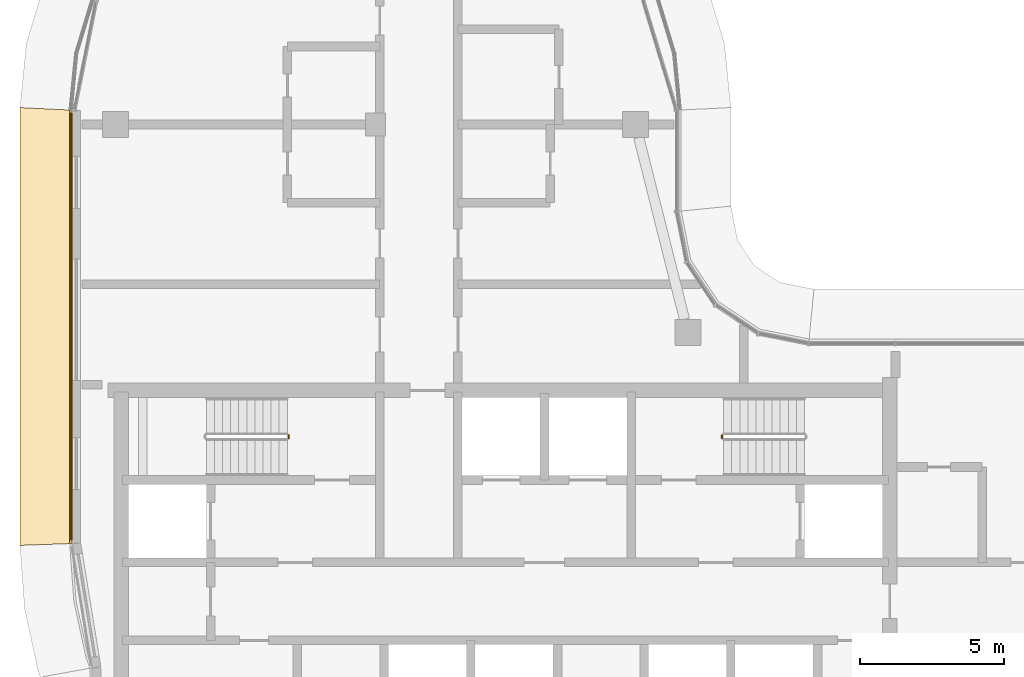
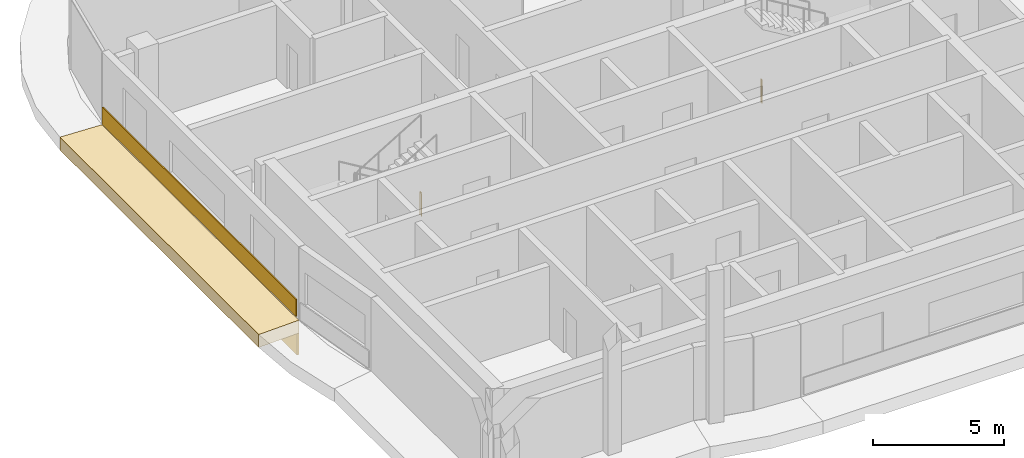
# One storey, part 17 of 21: 3 coverings, 2 railings.
"""IFC4 building model written with IfcOpenShell, lengths in metres."""

import ifcopenshell
import ifcopenshell.guid

model = None  # the IFC model being written
_history = None  # IfcOwnerHistory: only IFC2X3 demands one
_inside = {}  # id of a spatial element -> (the spatial element, [elements in it])
_under = {}  # id of a project, library or spatial element -> (it, [spatial elements below it])
_declared = {}  # id of a project -> (the project, [libraries it declares])
_typed = {}  # id of a type object -> (the type object, [elements of that type])
_made_of = {}  # id of a material, layer set ... -> (it, [elements and type objects made of it])


def new_model(schema):
    """Start an empty IFC model of exactly this schema.

    Asked for "IFC4X3", IfcOpenShell would pick the latest addendum, in which some entities
    have other attributes; the version numbers below select the first issue.
    IFC2X3 requires an IfcOwnerHistory on every rooted entity: one is made here for all.
    """
    global model, _history
    if schema == "IFC4X3":
        model = ifcopenshell.file(schema_version=(4, 3, 0, 0))
    else:
        model = ifcopenshell.file(schema=schema)
    _inside.clear()
    _under.clear()
    _declared.clear()
    _typed.clear()
    _made_of.clear()
    _history = None
    if model.schema == "IFC2X3":
        org = make("IfcOrganization", Name="unknown")
        user = make(
            "IfcPersonAndOrganization",
            ThePerson=make("IfcPerson", FamilyName="unknown"),
            TheOrganization=org,
        )
        app = make(
            "IfcApplication",
            ApplicationDeveloper=org,
            Version="unknown",
            ApplicationFullName="unknown",
            ApplicationIdentifier="unknown",
        )
        _history = make(
            "IfcOwnerHistory",
            OwningUser=user,
            OwningApplication=app,
            ChangeAction="ADDED",
            CreationDate=0,
        )
    return model


def make(cls, **values):
    """One entity of the class cls with the attributes given. An attribute that is None is left unset."""
    return model.create_entity(
        cls, **{name: value for name, value in values.items() if value is not None}
    )


def rooted(cls, **values):
    """An entity with a GlobalId (a new one), such as an element, a storey or a relation."""
    return make(cls, GlobalId=ifcopenshell.guid.new(), OwnerHistory=_history, **values)


def si_unit(unit_type, name, prefix=None):
    """IfcSIUnit, for example si_unit("LENGTHUNIT", "METRE", prefix="MILLI")."""
    return make("IfcSIUnit", UnitType=unit_type, Prefix=prefix, Name=name)


def assignment(units):
    """IfcUnitAssignment: the units of a project."""
    return None if units is None else make("IfcUnitAssignment", Units=units)


def point(xyz):
    """IfcCartesianPoint."""
    return None if xyz is None else make("IfcCartesianPoint", Coordinates=xyz)


def direction(xyz):
    """IfcDirection."""
    return None if xyz is None else make("IfcDirection", DirectionRatios=xyz)


def frame(location, z_axis=None, x_axis=None):
    """IfcAxis2Placement3D, a coordinate frame: its origin and axes. An axis left out is left unset."""
    return make(
        "IfcAxis2Placement3D",
        Location=point(location),
        Axis=direction(z_axis),
        RefDirection=direction(x_axis),
    )


def frame_2d(location, x_axis=None):
    """IfcAxis2Placement2D, a coordinate frame in the plane: its origin and x axis."""
    return make(
        "IfcAxis2Placement2D", Location=point(location), RefDirection=direction(x_axis)
    )


def origin():
    """The frame at (0, 0, 0) with its axes left unset."""
    return frame((0.0, 0.0, 0.0))


def origin_2d():
    """The frame at (0, 0) in the plane with its x axis left unset."""
    return frame_2d((0.0, 0.0))


def place(relative_to, where):
    """IfcLocalPlacement: puts the frame where relative to a parent placement (None: the world)."""
    return make(
        "IfcLocalPlacement", PlacementRelTo=relative_to, RelativePlacement=where
    )


def context(
    kind, dimensions, precision=None, world=None, true_north=None, identifier=None
):
    """IfcGeometricRepresentationContext, for example the 3D "Model" context."""
    return make(
        "IfcGeometricRepresentationContext",
        ContextIdentifier=identifier,
        ContextType=kind,
        CoordinateSpaceDimension=dimensions,
        Precision=precision,
        WorldCoordinateSystem=world,
        TrueNorth=true_north,
    )


def subcontext(parent, identifier, kind, view, scale=None):
    """IfcGeometricRepresentationSubContext, for example "Body" below "Model"."""
    return make(
        "IfcGeometricRepresentationSubContext",
        ContextIdentifier=identifier,
        ContextType=kind,
        ParentContext=parent,
        TargetScale=scale,
        TargetView=view,
    )


def project(units=None, contexts=None):
    """IfcProject with its units and contexts."""
    return rooted(
        "IfcProject",
        Name="project",
        RepresentationContexts=contexts,
        UnitsInContext=assignment(units),
    )


def spatial(cls, under=None, at=None, **own):
    """A site, building, storey or space (cls), placed at a placement, below another one or the project."""
    s = rooted(cls, ObjectPlacement=at, **own)
    if under is not None:
        _under.setdefault(under.id(), (under, []))[1].append(s)
    return s


def polyline(points):
    """IfcPolyline through the points."""
    return make("IfcPolyline", Points=[point(p) for p in points])


def profile(cls, at=None, kind="AREA", **sizes):
    """A parametric profile (cls). Its sizes go by their IFC names, for example OverallWidth=200.0."""
    return make(cls, ProfileType=kind, Position=at, **sizes)


def rectangle(**sizes):
    """IfcRectangleProfileDef."""
    return profile("IfcRectangleProfileDef", **sizes)


def circle(**sizes):
    """IfcCircleProfileDef."""
    return profile("IfcCircleProfileDef", **sizes)


def outline(outer, holes=None, kind="AREA"):
    """IfcArbitraryClosedProfileDef: a profile drawn as a closed curve; with holes, ...WithVoids."""
    if holes is None:
        return make("IfcArbitraryClosedProfileDef", ProfileType=kind, OuterCurve=outer)
    return make(
        "IfcArbitraryProfileDefWithVoids",
        ProfileType=kind,
        OuterCurve=outer,
        InnerCurves=holes,
    )


def extrude(swept, where, along, depth):
    """IfcExtrudedAreaSolid: the profile swept, set in the frame where, extruded along a direction by depth."""
    return make(
        "IfcExtrudedAreaSolid",
        SweptArea=swept,
        Position=where,
        ExtrudedDirection=direction(along),
        Depth=depth,
    )


def shape(context_of_items, identifier, shape_type, items):
    """IfcShapeRepresentation: the items that make up one representation, for example the "Body"."""
    return make(
        "IfcShapeRepresentation",
        ContextOfItems=context_of_items,
        RepresentationIdentifier=identifier,
        RepresentationType=shape_type,
        Items=items,
    )


def material(Name=None, Category=None):
    """IfcMaterial."""
    return make("IfcMaterial", Name=Name, Category=Category)


def layer(
    of_material, thickness, ventilated=None, Name=None, Category=None, Priority=None
):
    """IfcMaterialLayer: one layer of a wall or slab, of a material (None: an air gap)."""
    return make(
        "IfcMaterialLayer",
        Material=of_material,
        LayerThickness=thickness,
        IsVentilated=ventilated,
        Name=Name,
        Category=Category,
        Priority=Priority,
    )


def layer_set(layers, Name=None):
    """IfcMaterialLayerSet."""
    return make("IfcMaterialLayerSet", MaterialLayers=layers, LayerSetName=Name)


def made_of(thing, what):
    """Note that an element or type object is made of a material, layer set ...; save() writes the relation."""
    if what is not None:
        _made_of.setdefault(what.id(), (what, []))[1].append(thing)
    return thing


def type_object(cls, material=None, **own):
    """A type object (cls), such as IfcWallType, which elements share."""
    return made_of(rooted(cls, **own), material)


def element(
    cls,
    number,
    at=None,
    inside=None,
    cuts=None,
    type_object=None,
    material=None,
    context=None,
    identifier="Body",
    shape_type=None,
    held_by="IfcProductDefinitionShape",
    body=None,
    shapes=None,
    **own,
):
    """One element of the class cls, such as IfcWall. Its Tag is "e" and its number.

    at: its placement. inside: the storey or other place that contains it. cuts: it is an
    opening in that element (IfcRelVoidsElement). A single representation is given by context,
    identifier, shape_type and body (its items); several are given by shapes. held_by: the class
    of the entity that holds the representations. save() writes the other relations.
    """
    e = rooted(cls, Tag="e%d" % number, ObjectPlacement=at, **own)
    if body is not None:
        shapes = [shape(context, identifier, shape_type, body)]
    if shapes is not None:
        e.Representation = make(held_by, Representations=shapes)
    if inside is not None:
        _inside.setdefault(inside.id(), (inside, []))[1].append(e)
    if cuts is not None:
        rooted(
            "IfcRelVoidsElement", RelatingBuildingElement=cuts, RelatedOpeningElement=e
        )
    if type_object is not None:
        _typed.setdefault(type_object.id(), (type_object, []))[1].append(e)
    return made_of(e, material)


def aggregate(whole, parts):
    """IfcRelAggregates: a whole, such as a stair, and the parts it consists of."""
    return rooted("IfcRelAggregates", RelatingObject=whole, RelatedObjects=parts)


def save(model, path):
    """Write the relations noted so far, then the file.

    IfcRelAggregates (storeys below a building ...), IfcRelContainedInSpatialStructure (elements
    in a storey), IfcRelDefinesByType, IfcRelAssociatesMaterial and IfcRelDeclares: one each for
    every whole, place, type object, material and project.
    """
    for whole, parts in _under.values():
        aggregate(whole, parts)
    for where, things in _inside.values():
        rooted(
            "IfcRelContainedInSpatialStructure",
            RelatedElements=things,
            RelatingStructure=where,
        )
    for kind, things in _typed.values():
        rooted("IfcRelDefinesByType", RelatedObjects=things, RelatingType=kind)
    for what, things in _made_of.values():
        rooted("IfcRelAssociatesMaterial", RelatedObjects=things, RelatingMaterial=what)
    for by, libraries in _declared.values():
        rooted("IfcRelDeclares", RelatingContext=by, RelatedDefinitions=libraries)
    model.write(path)


model = new_model("IFC4")

# Units and contexts
model_context = context("Model", 3, precision=1e-05, world=origin(), true_north=direction((0.0, 1.0)))
body_context = subcontext(model_context, "Body", "Model", "MODEL_VIEW")
ifc_project = project(units=[si_unit("LENGTHUNIT", "METRE"), si_unit("AREAUNIT", "SQUARE_METRE"), si_unit("VOLUMEUNIT", "CUBIC_METRE"), si_unit("PLANEANGLEUNIT", "RADIAN"), si_unit("MASSUNIT", "GRAM", prefix="KILO")], contexts=[model_context])

# Site, building, storey
site_placement = place(None, origin())
site = spatial("IfcSite", under=ifc_project, at=site_placement, CompositionType="ELEMENT")
building_placement = place(site_placement, origin())
building = spatial("IfcBuilding", under=site, at=building_placement, Name="Ogive Portal Towers", CompositionType="ELEMENT")
storey_placement = place(building_placement, frame((0.0, 0.0, 225.39990234375)))
storey = spatial("IfcBuildingStorey", under=building, at=storey_placement, Name="L56", CompositionType="ELEMENT", Elevation=225.39990234375)

# Railings
ifc_material_1 = material(Name="Stainless steel balustrade", Category="steel")
railing_type = type_object("IfcRailingType", Name="INT-GUARD", PredefinedType="GUARDRAIL", material=ifc_material_1)
railing_1_placement = place(storey_placement, frame((37.5, 37.75, 0.0)))
element("IfcRailing", 1, at=railing_1_placement, inside=storey, type_object=railing_type, Name="L56 ST-A1 stair guard 4", PredefinedType="GUARDRAIL", context=body_context, shape_type="SweptSolid", body=[
    extrude(circle(Radius=0.02392578125, at=origin_2d()), frame((0.0, 0.0, 1.076171875), z_axis=(0.0, -1.0, 0.0), x_axis=(1.0, 0.0, 0.0)), (0.0, 0.0, 1.0), 0.10009765625),
    extrude(circle(Radius=0.02099609375, at=origin_2d()), origin(), (0.0, 0.0, 1.0), 1.052001953125),
    extrude(circle(Radius=0.02099609375, at=origin_2d()), frame((0.0, -0.10009765625, 0.0)), (0.0, 0.0, 1.0), 1.052001953125),
])
railing_2_placement = place(storey_placement, frame((52.5, 37.64990234375, 0.0)))
element("IfcRailing", 2, at=railing_2_placement, inside=storey, type_object=railing_type, Name="L56 ST-A2 stair guard 4", PredefinedType="GUARDRAIL", context=body_context, shape_type="SweptSolid", body=[
    extrude(circle(Radius=0.02392578125, at=origin_2d()), frame((0.0, 0.0, 1.076171875), z_axis=(0.0, 1.0, 0.0), x_axis=(-1.0, 0.0, 0.0)), (0.0, 0.0, 1.0), 0.10009765625),
    extrude(circle(Radius=0.02099609375, at=origin_2d()), origin(), (0.0, 0.0, 1.0), 1.052001953125),
    extrude(circle(Radius=0.02099609375, at=origin_2d()), frame((0.0, 0.10009765625, 0.0)), (0.0, 0.0, 1.0), 1.052001953125),
])

# Coverings
ifc_material_2 = material(Name="Limestone cladding on lightweight block wall", Category="masonry")
ifc_layer_1 = layer(ifc_material_2, 0.050048828125)
ifc_layer_set_1 = layer_set([ifc_layer_1], Name="SCREEN PERFORATED STONE")
covering_type_1 = type_object("IfcCoveringType", Name="SCREEN PERFORATED STONE", PredefinedType="CLADDING", material=ifc_layer_set_1)
covering_1_placement = place(storey_placement, frame((29.97509765625, 41.50830078125, 0.10009765625), z_axis=(0.0, 0.0, 1.0), x_axis=(0.0, -1.0, 0.0)))
element("IfcCovering", 3, at=covering_1_placement, inside=storey, type_object=covering_type_1, Name="Tracery screen", PredefinedType="CLADDING", context=body_context, shape_type="SweptSolid", body=[
    extrude(rectangle(XDim=14.767822265625, YDim=0.050048828125, at=origin_2d()), origin(), (0.0, 0.0, 1.0), 0.800048828125),
])
ifc_layer_2 = layer(ifc_material_2, 0.080078125)
ifc_layer_set_2 = layer_set([ifc_layer_2], Name="STONE SPANDREL 80")
covering_type_2 = type_object("IfcCoveringType", Name="STONE SPANDREL 80", PredefinedType="CLADDING", material=ifc_layer_set_2)
covering_2_placement = place(storey_placement, frame((0.0, 0.0, -1.599853515625)))
element("IfcCovering", 4, at=covering_2_placement, inside=storey, type_object=covering_type_2, Name="Stone spandrel A1-F13", PredefinedType="CLADDING", context=body_context, shape_type="SweptSolid", body=[
    extrude(outline(polyline([(30.0, 49.0), (30.0, 34.0), (29.919921875, 33.9970703125), (29.919921875, 49.00390625), (30.0, 49.0)])), origin(), (0.0, 0.0, 1.0), 1.0),
])
ifc_layer_3 = layer(ifc_material_2, 0.60009765625)
ifc_layer_set_3 = layer_set([ifc_layer_3], Name="SUNSHADE LIP 600")
covering_type_3 = type_object("IfcCoveringType", Name="SUNSHADE LIP 600", PredefinedType="CLADDING", material=ifc_layer_set_3)
covering_3_placement = place(storey_placement, frame((0.0, 0.0, -0.599853515625)))
element("IfcCovering", 5, at=covering_3_placement, inside=storey, type_object=covering_type_3, Name="Sunshade lip A1-F13", PredefinedType="CLADDING", context=body_context, shape_type="SweptSolid", body=[
    extrude(outline(polyline([(30.0, 49.0), (30.0, 34.0), (28.199951171875, 33.935791015625), (28.199951171875, 49.08837890625), (30.0, 49.0)])), origin(), (0.0, 0.0, 1.0), 0.599853515625),
])

save(model, "model.ifc")
